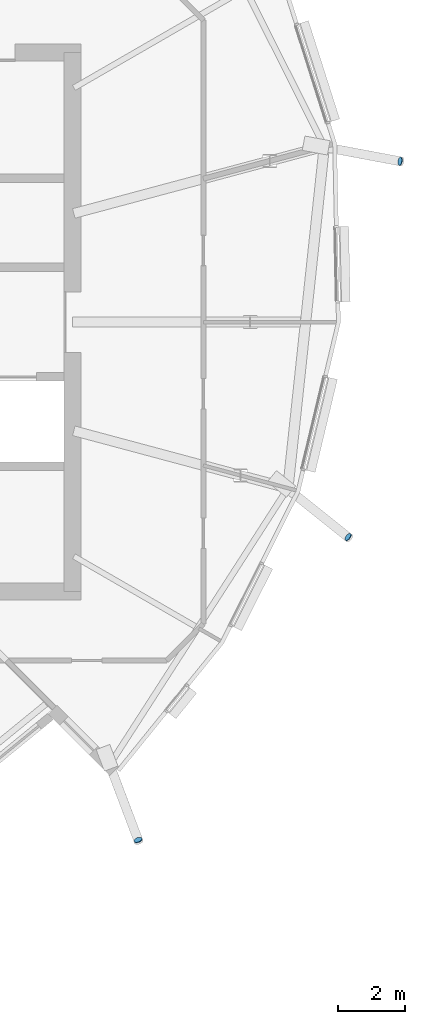
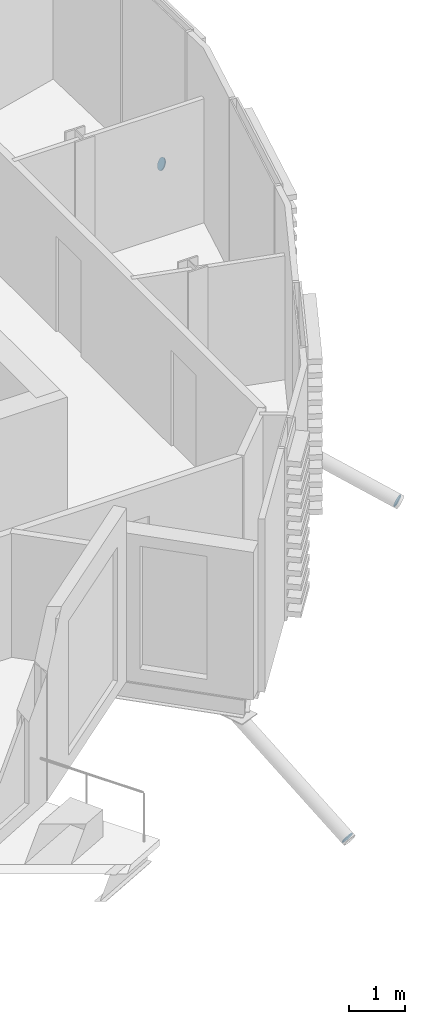
# One storey, part 32 of 41: 3 discrete accessories.
"""IFC4 building model written with IfcOpenShell, lengths in metres."""

from ifc_helpers import new_model, si_unit, direction, frame, origin, origin_2d, place, context, subcontext, project, spatial, circle, extrude, material, material_profile, profile_set, type_object, element, save


model = new_model("IFC4")

# Units and contexts
model_context = context("Model", 3, precision=1e-05, world=origin(), true_north=direction((0.0, 1.0)))
body_context = subcontext(model_context, "Body", "Model", "MODEL_VIEW")
ifc_project = project(units=[si_unit("LENGTHUNIT", "METRE"), si_unit("AREAUNIT", "SQUARE_METRE"), si_unit("VOLUMEUNIT", "CUBIC_METRE"), si_unit("PLANEANGLEUNIT", "RADIAN"), si_unit("MASSUNIT", "GRAM", prefix="KILO")], contexts=[model_context])

# Site, building, storey
site_placement = place(None, origin())
site = spatial("IfcSite", under=ifc_project, at=site_placement, CompositionType="ELEMENT")
building_placement = place(site_placement, origin())
building = spatial("IfcBuilding", under=site, at=building_placement, Name="Rimbun Link Towers", CompositionType="ELEMENT")
storey_placement = place(building_placement, frame((0.0, 0.0, 210.5)))
storey = spatial("IfcBuildingStorey", under=building, at=storey_placement, Name="L51", CompositionType="ELEMENT", Elevation=210.5)

# Discrete accessories
ifc_material = material(Name="Steel S355J2H", Category="steel")
ifc_material_profile = material_profile(ifc_material, circle(Radius=0.1240234375, at=origin_2d()), Name="PL D248")
ifc_profile_set = profile_set([ifc_material_profile], Name="Steel S355J2H")
discrete_accessory_type = type_object("IfcDiscreteAccessoryType", Name="Link foot sealing plate D248X20", PredefinedType="BRACKET", material=ifc_profile_set)
for number, where, z_axis, x_axis, name in (
    (1, (45.69677734375, -15.367919921875, -2.148193359375), (0.305446406249, -0.794160656248, -0.525367818749), (0.933345606203, 0.358979079309, 0.0), "Link foot sealing plate T2 L51 18"),
    (2, (51.9248046875, -6.3779296875, -2.382568359375), (0.685069750249, -0.550502477878, -0.477102147495), (0.626391108316, 0.779508934793, 0.0), "Link foot sealing plate T2 L51 20"),
    (3, (53.46875, 4.775390625, -2.296142578125), (0.873320915703, -0.157682943113, -0.460919372176), (0.177682530476, 0.9840878611, 0.0), "Link foot sealing plate T2 L51 22"),
):
    element("IfcDiscreteAccessory", number, at=place(storey_placement, frame(where, z_axis=z_axis, x_axis=x_axis)), inside=storey, type_object=discrete_accessory_type, Name=name, PredefinedType="BRACKET", context=body_context, shape_type="SweptSolid", body=[
        extrude(circle(Radius=0.1240234375, at=origin_2d()), origin(), (0.0, 0.0, 1.0), 0.02001953125),
    ])

save(model, "model.ifc")
